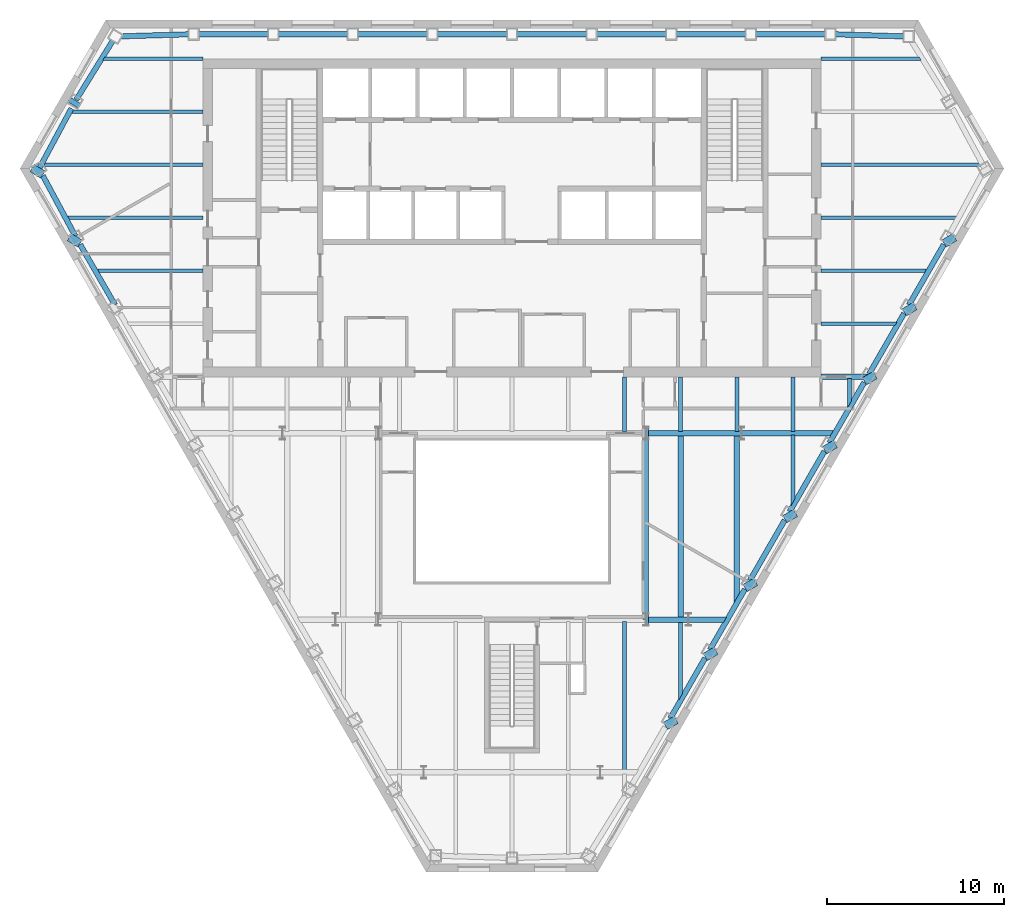
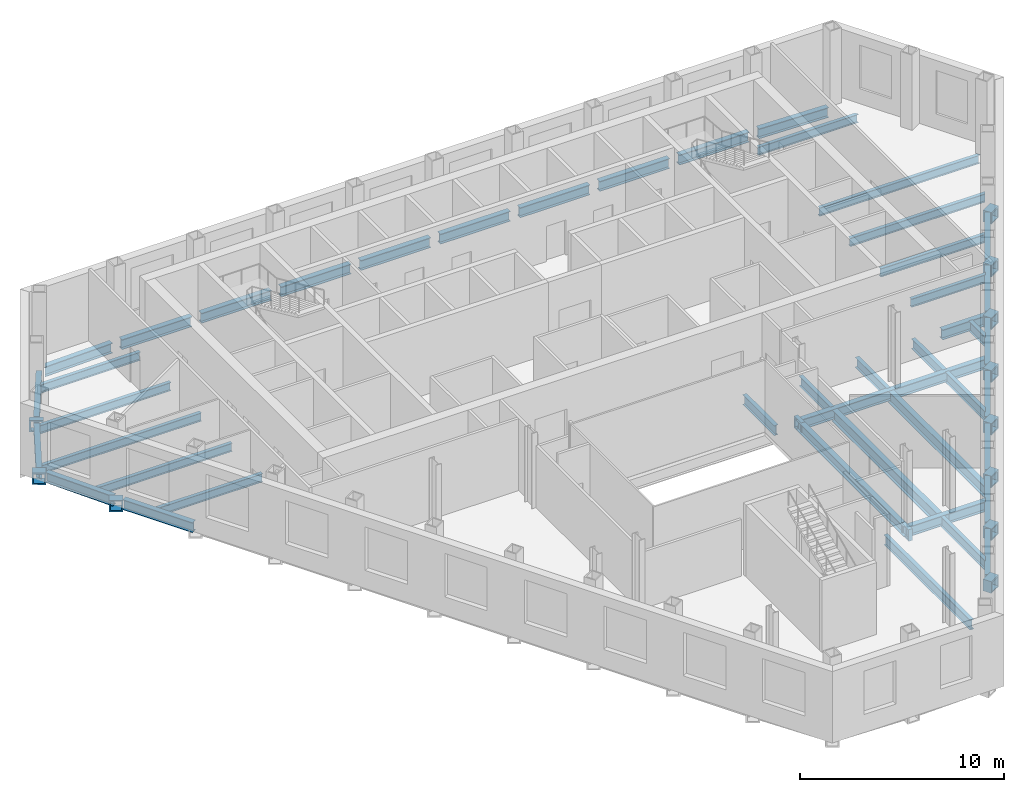
# One storey, part 3 of 12: 60 beams.
"""IFC4 building model written with IfcOpenShell, lengths in metres."""

from ifc_helpers import new_model, si_unit, direction, frame, origin, origin_2d, place, context, subcontext, project, spatial, hollow_rectangle, i_section, extrude, clip, halfspace, material, material_profile, profile_set, type_object, element, save


model = new_model("IFC4")

# Units and contexts
model_context = context("Model", 3, precision=1e-05, world=origin(), true_north=direction((0.0, 1.0)))
body_context = subcontext(model_context, "Body", "Model", "MODEL_VIEW")
ifc_project = project(units=[si_unit("LENGTHUNIT", "METRE"), si_unit("AREAUNIT", "SQUARE_METRE"), si_unit("VOLUMEUNIT", "CUBIC_METRE"), si_unit("PLANEANGLEUNIT", "RADIAN"), si_unit("MASSUNIT", "GRAM", prefix="KILO")], contexts=[model_context])

# Site, building, storey
site_placement = place(None, origin())
site = spatial("IfcSite", under=ifc_project, at=site_placement, CompositionType="ELEMENT")
building_placement = place(site_placement, origin())
building = spatial("IfcBuilding", under=site, at=building_placement, Name="Njiva Tower", CompositionType="ELEMENT")
storey_placement = place(building_placement, frame((0.0, 0.0, 111.3)))
storey = spatial("IfcBuildingStorey", under=building, at=storey_placement, Name="L23", CompositionType="ELEMENT", Elevation=111.3)

# Beams
ifc_material = material(Name="Steel S355 J2", Category="steel")
ifc_material_profile_1 = material_profile(ifc_material, i_section(OverallWidth=0.3, OverallDepth=0.69, WebThickness=0.0145, FlangeThickness=0.027, at=origin_2d()), Name="HEA 700")
ifc_profile_set_1 = profile_set([ifc_material_profile_1], Name="Steel S355 J2")
beam_type_1 = type_object("IfcBeamType", Name="B12 Long-span floor joist HEA 700", PredefinedType="JOIST", material=ifc_profile_set_1)
beam_1_placement = place(storey_placement, frame((9.55, -3.3, -0.545), z_axis=(0.0, -1.0, 0.0), x_axis=(1.0, 0.0, 0.0)))
element("IfcBeam", 1, at=beam_1_placement, inside=storey, type_object=beam_type_1, Name="Long-span floor joist S08-B084", PredefinedType="JOIST", context=body_context, shape_type="SweptSolid", body=[
    extrude(i_section(OverallWidth=0.3, OverallDepth=0.69, WebThickness=0.0145, FlangeThickness=0.027, at=origin_2d()), origin(), (0.0, 0.0, 1.0), 10.35),
])
ifc_material_profile_2 = material_profile(ifc_material, i_section(OverallWidth=0.22, OverallDepth=0.6, WebThickness=0.012, FlangeThickness=0.019, at=origin_2d()), Name="IPE 600")
ifc_profile_set_2 = profile_set([ifc_material_profile_2], Name="Steel S355 J2")
beam_type_2 = type_object("IfcBeamType", Name="B13 Floor joist IPE 600", PredefinedType="JOIST", material=ifc_profile_set_2)
beam_2_placement = place(storey_placement, frame((6.367, -13.851, -0.5), z_axis=(0.0, -1.0, 0.0), x_axis=(1.0, 0.0, 0.0)))
element("IfcBeam", 2, at=beam_2_placement, inside=storey, type_object=beam_type_2, Name="Floor joist S08-B081", PredefinedType="JOIST", context=body_context, shape_type="SweptSolid", body=[
    extrude(i_section(OverallWidth=0.22, OverallDepth=0.6, WebThickness=0.012, FlangeThickness=0.019, at=origin_2d()), origin(), (0.0, 0.0, 1.0), 8.449),
])
ifc_material_profile_3 = material_profile(ifc_material, i_section(OverallWidth=0.22, OverallDepth=0.6, WebThickness=0.012, FlangeThickness=0.019, at=origin_2d()), Name="IPE 600")
ifc_profile_set_3 = profile_set([ifc_material_profile_3], Name="Steel S355 J2")
beam_type_3 = type_object("IfcBeamType", Name="B14 Short-span floor joist IPE 600", PredefinedType="JOIST", material=ifc_profile_set_3)
beam_3_placement = place(storey_placement, frame((6.367, -0.005, -0.5), z_axis=(0.0, -1.0, 0.0), x_axis=(1.0, 0.0, 0.0)))
element("IfcBeam", 3, at=beam_3_placement, inside=storey, type_object=beam_type_3, Name="Short-span floor joist S08-B082", PredefinedType="JOIST", context=body_context, shape_type="SweptSolid", body=[
    extrude(i_section(OverallWidth=0.22, OverallDepth=0.6, WebThickness=0.012, FlangeThickness=0.019, at=origin_2d()), origin(), (0.0, 0.0, 1.0), 3.094),
])
beam_4_placement = place(storey_placement, frame((9.55, -0.005, -0.5), z_axis=(0.0, -1.0, 0.0), x_axis=(1.0, 0.0, 0.0)))
element("IfcBeam", 4, at=beam_4_placement, inside=storey, type_object=beam_type_3, Name="Short-span floor joist S08-B085", PredefinedType="JOIST", context=body_context, shape_type="SweptSolid", body=[
    extrude(i_section(OverallWidth=0.22, OverallDepth=0.6, WebThickness=0.012, FlangeThickness=0.019, at=origin_2d()), origin(), (0.0, 0.0, 1.0), 3.095),
])
beam_5_placement = place(storey_placement, frame((9.55, -13.85, -0.5), z_axis=(0.0, -1.0, 0.0), x_axis=(1.0, 0.0, 0.0)))
element("IfcBeam", 5, at=beam_5_placement, inside=storey, type_object=beam_type_3, Name="Short-span floor joist S08-B083", PredefinedType="JOIST", context=body_context, shape_type="Clipping", body=[
    clip(extrude(i_section(OverallWidth=0.22, OverallDepth=0.6, WebThickness=0.012, FlangeThickness=0.019, at=origin_2d()), origin(), (0.0, 0.0, 1.0), 4.484), halfspace(frame((0.0433, 0.0, 4.198), z_axis=(0.866026552831, 0.0, 0.499998009787), x_axis=(0.0, 1.0, 0.0)), False)),
])
for number, where, z_axis, x_axis, name in (
    (6, (12.733, -0.005, -0.5), (0.0, -1.0, 0.0), (1.0, 0.0, 0.0), "Short-span floor joist S08-B087"),
    (7, (15.917, -0.005, -0.5), (0.0, -1.0, 0.0), (1.0, 0.0, 0.0), "Short-span floor joist S08-B089"),
):
    element("IfcBeam", number, at=place(storey_placement, frame(where, z_axis=z_axis, x_axis=x_axis)), inside=storey, type_object=beam_type_3, Name=name, PredefinedType="JOIST", context=body_context, shape_type="SweptSolid", body=[
        extrude(i_section(OverallWidth=0.22, OverallDepth=0.6, WebThickness=0.012, FlangeThickness=0.019, at=origin_2d()), origin(), (0.0, 0.0, 1.0), 3.095),
    ])
beam_6_placement = place(storey_placement, frame((15.917, -3.3, -0.5), z_axis=(0.0, -1.0, 0.0), x_axis=(1.0, 0.0, 0.0)))
element("IfcBeam", 8, at=beam_6_placement, inside=storey, type_object=beam_type_3, Name="Short-span floor joist S08-B088", PredefinedType="JOIST", context=body_context, shape_type="Clipping", body=[
    clip(extrude(i_section(OverallWidth=0.22, OverallDepth=0.6, WebThickness=0.012, FlangeThickness=0.019, at=origin_2d()), origin(), (0.0, 0.0, 1.0), 4.007), halfspace(frame((0.043, 0.0, 3.7206), z_axis=(0.866026552831, 0.0, 0.499998009787), x_axis=(0.0, 1.0, 0.0)), False)),
])
beam_7_placement = place(storey_placement, frame((19.1, -0.1, -0.5), z_axis=(0.0, -1.0, 0.0), x_axis=(1.0, 0.0, 0.0)))
element("IfcBeam", 9, at=beam_7_placement, inside=storey, type_object=beam_type_3, Name="Short-span floor joist S08-B090", PredefinedType="JOIST", context=body_context, shape_type="Clipping", body=[
    clip(extrude(i_section(OverallWidth=0.22, OverallDepth=0.6, WebThickness=0.012, FlangeThickness=0.019, at=origin_2d()), origin(), (0.0, 0.0, 1.0), 1.693), halfspace(frame((0.0433, 0.0, 1.4069), z_axis=(0.866026552831, 0.0, 0.499998009787), x_axis=(0.0, 1.0, 0.0)), False)),
])
ifc_material_profile_4 = material_profile(ifc_material, hollow_rectangle(XDim=0.7, YDim=0.7, WallThickness=0.08, at=origin_2d()), Name="BOX 700x700x80")
ifc_profile_set_4 = profile_set([ifc_material_profile_4], Name="Steel S355 J2")
beam_type_4 = type_object("IfcBeamType", Name="B19 Column jog beam BOX 700x700x80", PredefinedType="BEAM", material=ifc_profile_set_4)
beam_8_placement = place(storey_placement, frame((-24.856, 15.389, -0.55), z_axis=(0.522403984203, 0.852698116152, 0.0), x_axis=(-0.852698116152, 0.522403984203, 0.0)))
element("IfcBeam", 10, at=beam_8_placement, inside=storey, type_object=beam_type_4, Name="Column jog beam S08-B032", PredefinedType="BEAM", context=body_context, shape_type="SweptSolid", body=[
    extrude(hollow_rectangle(XDim=0.7, YDim=0.7, WallThickness=0.08, at=origin_2d()), origin(), (0.0, 0.0, 1.0), 0.2967),
])
beam_9_placement = place(storey_placement, frame((-26.989, 11.427, -0.55), z_axis=(0.511075392877, 0.859535888021, 0.0), x_axis=(-0.859535888021, 0.511075392877, 0.0)))
element("IfcBeam", 11, at=beam_9_placement, inside=storey, type_object=beam_type_4, Name="Column jog beam S08-B030", PredefinedType="BEAM", context=body_context, shape_type="SweptSolid", body=[
    extrude(hollow_rectangle(XDim=0.7, YDim=0.7, WallThickness=0.08, at=origin_2d()), origin(), (0.0, 0.0, 1.0), 0.4735),
])
beam_10_placement = place(storey_placement, frame((-24.887, 7.523, -0.55), z_axis=(0.505448100698, 0.862857008722, 0.0), x_axis=(-0.862857008722, 0.505448100698, 0.0)))
element("IfcBeam", 12, at=beam_10_placement, inside=storey, type_object=beam_type_4, Name="Column jog beam S08-B031", PredefinedType="BEAM", context=body_context, shape_type="SweptSolid", body=[
    extrude(hollow_rectangle(XDim=0.7, YDim=0.7, WallThickness=0.08, at=origin_2d()), origin(), (0.0, 0.0, 1.0), 0.4728),
])
beam_11_placement = place(storey_placement, frame((9.111, -19.803, -0.55), z_axis=(-0.495234720822, 0.868759213645, 0.0), x_axis=(-0.868759213645, -0.495234720822, 0.0)))
element("IfcBeam", 13, at=beam_11_placement, inside=storey, type_object=beam_type_4, Name="Column jog beam S08-B049", PredefinedType="BEAM", context=body_context, shape_type="SweptSolid", body=[
    extrude(hollow_rectangle(XDim=0.7, YDim=0.7, WallThickness=0.08, at=origin_2d()), origin(), (0.0, 0.0, 1.0), 0.4765),
])
beam_12_placement = place(storey_placement, frame((11.365, -15.899, -0.55), z_axis=(-0.497721258129, 0.867337044756, 0.0), x_axis=(-0.867337044756, -0.497721258129, 0.0)))
element("IfcBeam", 14, at=beam_12_placement, inside=storey, type_object=beam_type_4, Name="Column jog beam S08-B050", PredefinedType="BEAM", context=body_context, shape_type="SweptSolid", body=[
    extrude(hollow_rectangle(XDim=0.7, YDim=0.7, WallThickness=0.08, at=origin_2d()), origin(), (0.0, 0.0, 1.0), 0.4762),
])
beam_13_placement = place(storey_placement, frame((13.618, -11.995, -0.55), z_axis=(-0.498629231199, 0.86681537238, 0.0), x_axis=(-0.86681537238, -0.498629231199, 0.0)))
element("IfcBeam", 15, at=beam_13_placement, inside=storey, type_object=beam_type_4, Name="Column jog beam S08-B051", PredefinedType="BEAM", context=body_context, shape_type="SweptSolid", body=[
    extrude(hollow_rectangle(XDim=0.7, YDim=0.7, WallThickness=0.08, at=origin_2d()), origin(), (0.0, 0.0, 1.0), 0.4753),
])
beam_14_placement = place(storey_placement, frame((15.872, -8.091, -0.55), z_axis=(-0.499539972301, 0.866290838041, 0.0), x_axis=(-0.866290838041, -0.499539972301, 0.0)))
element("IfcBeam", 16, at=beam_14_placement, inside=storey, type_object=beam_type_4, Name="Column jog beam S08-B052", PredefinedType="BEAM", context=body_context, shape_type="SweptSolid", body=[
    extrude(hollow_rectangle(XDim=0.7, YDim=0.7, WallThickness=0.08, at=origin_2d()), origin(), (0.0, 0.0, 1.0), 0.4744),
])
beam_15_placement = place(storey_placement, frame((18.126, -4.188, -0.55), z_axis=(-0.501119266826, 0.865378229687, 0.0), x_axis=(-0.865378229687, -0.501119266826, 0.0)))
element("IfcBeam", 17, at=beam_15_placement, inside=storey, type_object=beam_type_4, Name="Column jog beam S08-B053", PredefinedType="BEAM", context=body_context, shape_type="SweptSolid", body=[
    extrude(hollow_rectangle(XDim=0.7, YDim=0.7, WallThickness=0.08, at=origin_2d()), origin(), (0.0, 0.0, 1.0), 0.4749),
])
beam_16_placement = place(storey_placement, frame((20.38, -0.284, -0.55), z_axis=(-0.503608973261, 0.863931711451, 0.0), x_axis=(-0.863931711451, -0.503608973261, 0.0)))
element("IfcBeam", 18, at=beam_16_placement, inside=storey, type_object=beam_type_4, Name="Column jog beam S08-B054", PredefinedType="BEAM", context=body_context, shape_type="SweptSolid", body=[
    extrude(hollow_rectangle(XDim=0.7, YDim=0.7, WallThickness=0.08, at=origin_2d()), origin(), (0.0, 0.0, 1.0), 0.4746),
])
beam_17_placement = place(storey_placement, frame((22.634, 3.62, -0.55), z_axis=(-0.504527147117, 0.863395829167, 0.0), x_axis=(-0.863395829167, -0.504527147117, 0.0)))
element("IfcBeam", 19, at=beam_17_placement, inside=storey, type_object=beam_type_4, Name="Column jog beam S08-B055", PredefinedType="BEAM", context=body_context, shape_type="SweptSolid", body=[
    extrude(hollow_rectangle(XDim=0.7, YDim=0.7, WallThickness=0.08, at=origin_2d()), origin(), (0.0, 0.0, 1.0), 0.4737),
])
beam_18_placement = place(storey_placement, frame((24.887, 7.523, -0.55), z_axis=(-0.505448100698, 0.862857008722, 0.0), x_axis=(-0.862857008722, -0.505448100698, 0.0)))
element("IfcBeam", 20, at=beam_18_placement, inside=storey, type_object=beam_type_4, Name="Column jog beam S08-B056", PredefinedType="BEAM", context=body_context, shape_type="SweptSolid", body=[
    extrude(hollow_rectangle(XDim=0.7, YDim=0.7, WallThickness=0.08, at=origin_2d()), origin(), (0.0, 0.0, 1.0), 0.4728),
])
for number, where, z_axis, x_axis, name in (
    (21, (7.73, -3.2, -0.55), (-1.0, 0.0, 0.0), (0.0, -1.0, 0.0), "Column jog beam S08-B048"),
    (22, (7.73, -13.75, -0.55), (-1.0, 0.0, 0.0), (0.0, -1.0, 0.0), "Column jog beam S08-B047"),
):
    element("IfcBeam", number, at=place(storey_placement, frame(where, z_axis=z_axis, x_axis=x_axis)), inside=storey, type_object=beam_type_4, Name=name, PredefinedType="BEAM", context=body_context, shape_type="SweptSolid", body=[
        extrude(hollow_rectangle(XDim=0.7, YDim=0.7, WallThickness=0.08, at=origin_2d()), origin(), (0.0, 0.0, 1.0), 0.21),
    ])
ifc_material_profile_5 = material_profile(ifc_material, i_section(OverallWidth=0.3, OverallDepth=0.6, WebThickness=0.0155, FlangeThickness=0.03, at=origin_2d()), Name="HEB 600")
ifc_profile_set_5 = profile_set([ifc_material_profile_5], Name="Steel S355 J2")
beam_type_5 = type_object("IfcBeamType", Name="B20 Floor girder HEB 600", PredefinedType="BEAM", material=ifc_profile_set_5)
beam_19_placement = place(storey_placement, frame((7.58, -3.2, -0.5), z_axis=(1.0, 0.0, 0.0), x_axis=(0.0, 1.0, 0.0)))
element("IfcBeam", 23, at=beam_19_placement, inside=storey, type_object=beam_type_5, Name="Floor girder S08-B025", PredefinedType="BEAM", context=body_context, shape_type="SweptSolid", body=[
    extrude(i_section(OverallWidth=0.3, OverallDepth=0.6, WebThickness=0.0155, FlangeThickness=0.03, at=origin_2d()), origin(), (0.0, 0.0, 1.0), 5.42),
])
beam_20_placement = place(storey_placement, frame((13.0, -3.2, -0.5), z_axis=(1.0, 0.0, 0.0), x_axis=(0.0, 1.0, 0.0)))
element("IfcBeam", 24, at=beam_20_placement, inside=storey, type_object=beam_type_5, Name="Floor girder S08-B027", PredefinedType="BEAM", context=body_context, shape_type="Clipping", body=[
    clip(extrude(i_section(OverallWidth=0.3, OverallDepth=0.6, WebThickness=0.0155, FlangeThickness=0.03, at=origin_2d()), origin(), (0.0, 0.0, 1.0), 5.273), halfspace(frame((-0.025, 0.0, 5.1513), z_axis=(-0.499998009787, 0.0, 0.866026552831), x_axis=(0.0, 1.0, 0.0)), False)),
])
ifc_material_profile_6 = material_profile(ifc_material, i_section(OverallWidth=0.3, OverallDepth=0.6, WebThickness=0.0155, FlangeThickness=0.03, at=origin_2d()), Name="HEB 600")
ifc_profile_set_6 = profile_set([ifc_material_profile_6], Name="Steel S355 J2")
beam_type_6 = type_object("IfcBeamType", Name="B21 Short-span floor girder HEB 600", PredefinedType="BEAM", material=ifc_profile_set_6)
beam_21_placement = place(storey_placement, frame((7.58, -13.75, -0.5), z_axis=(1.0, 0.0, 0.0), x_axis=(0.0, 1.0, 0.0)))
element("IfcBeam", 25, at=beam_21_placement, inside=storey, type_object=beam_type_6, Name="Short-span floor girder S08-B024", PredefinedType="BEAM", context=body_context, shape_type="SweptSolid", body=[
    extrude(i_section(OverallWidth=0.3, OverallDepth=0.6, WebThickness=0.0155, FlangeThickness=0.03, at=origin_2d()), origin(), (0.0, 0.0, 1.0), 2.42),
])
beam_22_placement = place(storey_placement, frame((10.0, -13.75, -0.5), z_axis=(1.0, 0.0, 0.0), x_axis=(0.0, 1.0, 0.0)))
element("IfcBeam", 26, at=beam_22_placement, inside=storey, type_object=beam_type_6, Name="Short-span floor girder S08-B026", PredefinedType="BEAM", context=body_context, shape_type="Clipping", body=[
    clip(extrude(i_section(OverallWidth=0.3, OverallDepth=0.6, WebThickness=0.0155, FlangeThickness=0.03, at=origin_2d()), origin(), (0.0, 0.0, 1.0), 2.182), halfspace(frame((-0.025, 0.0, 2.0603), z_axis=(-0.499998009787, 0.0, 0.866026552831), x_axis=(0.0, 1.0, 0.0)), False)),
])
beam_23_placement = place(storey_placement, frame((17.5, 0.0, -0.5), z_axis=(1.0, 0.0, 0.0), x_axis=(0.0, 1.0, 0.0)))
element("IfcBeam", 27, at=beam_23_placement, inside=storey, type_object=beam_type_6, Name="Short-span floor girder S08-B029", PredefinedType="BEAM", context=body_context, shape_type="Clipping", body=[
    clip(extrude(i_section(OverallWidth=0.3, OverallDepth=0.6, WebThickness=0.0155, FlangeThickness=0.03, at=origin_2d()), origin(), (0.0, 0.0, 1.0), 2.745), halfspace(frame((-0.025, 0.0, 2.6231), z_axis=(-0.499998009787, 0.0, 0.866026552831), x_axis=(0.0, 1.0, 0.0)), False)),
])
ifc_material_profile_7 = material_profile(ifc_material, i_section(OverallWidth=0.3, OverallDepth=0.6, WebThickness=0.0155, FlangeThickness=0.03, at=origin_2d()), Name="HEB 600")
ifc_profile_set_7 = profile_set([ifc_material_profile_7], Name="Steel S355 J2")
beam_type_7 = type_object("IfcBeamType", Name="B23 Long-span atrium trimmer beam HEB 600", PredefinedType="BEAM", material=ifc_profile_set_7)
beam_24_placement = place(storey_placement, frame((7.58, -13.75, -0.5), z_axis=(0.0, 1.0, 0.0), x_axis=(-1.0, 0.0, 0.0)))
element("IfcBeam", 28, at=beam_24_placement, inside=storey, type_object=beam_type_7, Name="Long-span atrium trimmer beam S08-B095", PredefinedType="BEAM", context=body_context, shape_type="SweptSolid", body=[
    extrude(i_section(OverallWidth=0.3, OverallDepth=0.6, WebThickness=0.0155, FlangeThickness=0.03, at=origin_2d()), origin(), (0.0, 0.0, 1.0), 10.55),
])
ifc_material_profile_8 = material_profile(ifc_material, i_section(OverallWidth=0.2, OverallDepth=0.5, WebThickness=0.0102, FlangeThickness=0.016, at=origin_2d()), Name="IPE 500")
ifc_profile_set_8 = profile_set([ifc_material_profile_8], Name="Steel S355 J2")
beam_type_8 = type_object("IfcBeamType", Name="B24 Floor beam to the core IPE 500", PredefinedType="BEAM", material=ifc_profile_set_8)
beam_25_placement = place(storey_placement, frame((-23.555, 6.0, -0.45), z_axis=(1.0, 0.0, 0.0), x_axis=(0.0, 1.0, 0.0)))
element("IfcBeam", 29, at=beam_25_placement, inside=storey, type_object=beam_type_8, Name="Floor beam to the core S08-B005", PredefinedType="BEAM", context=body_context, shape_type="Clipping", body=[
    clip(extrude(i_section(OverallWidth=0.2, OverallDepth=0.5, WebThickness=0.0102, FlangeThickness=0.016, at=origin_2d()), origin(), (0.0, 0.0, 1.0), 6.055), halfspace(frame((-0.025, 0.0, 0.092), z_axis=(-0.499998009787, 0.0, -0.866026552831), x_axis=(0.0, -1.0, 0.0)), False)),
])
beam_26_placement = place(storey_placement, frame((17.5, 6.0, -0.45), z_axis=(1.0, 0.0, 0.0), x_axis=(0.0, 1.0, 0.0)))
element("IfcBeam", 30, at=beam_26_placement, inside=storey, type_object=beam_type_8, Name="Floor beam to the core S08-B009", PredefinedType="BEAM", context=body_context, shape_type="Clipping", body=[
    clip(extrude(i_section(OverallWidth=0.2, OverallDepth=0.5, WebThickness=0.0102, FlangeThickness=0.016, at=origin_2d()), origin(), (0.0, 0.0, 1.0), 6.055), halfspace(frame((-0.025, 0.0, 5.963), z_axis=(-0.499998009787, 0.0, 0.866026552831), x_axis=(0.0, 1.0, 0.0)), False)),
])
beam_27_placement = place(storey_placement, frame((-25.241, 9.0, -0.45), z_axis=(1.0, 0.0, 0.0), x_axis=(0.0, 1.0, 0.0)))
element("IfcBeam", 31, at=beam_27_placement, inside=storey, type_object=beam_type_8, Name="Floor beam to the core S08-B003", PredefinedType="BEAM", context=body_context, shape_type="Clipping", body=[
    clip(extrude(i_section(OverallWidth=0.2, OverallDepth=0.5, WebThickness=0.0102, FlangeThickness=0.016, at=origin_2d()), origin(), (0.0, 0.0, 1.0), 7.741), halfspace(frame((-0.0237, 0.0, 0.0865), z_axis=(-0.47376166762, 0.0, -0.88065309986), x_axis=(0.0, -1.0, 0.0)), False)),
])
beam_28_placement = place(storey_placement, frame((17.5, 9.0, -0.45), z_axis=(1.0, 0.0, 0.0), x_axis=(0.0, 1.0, 0.0)))
element("IfcBeam", 32, at=beam_28_placement, inside=storey, type_object=beam_type_8, Name="Floor beam to the core S08-B010", PredefinedType="BEAM", context=body_context, shape_type="Clipping", body=[
    clip(extrude(i_section(OverallWidth=0.2, OverallDepth=0.5, WebThickness=0.0102, FlangeThickness=0.016, at=origin_2d()), origin(), (0.0, 0.0, 1.0), 7.741), halfspace(frame((-0.0237, 0.0, 7.6545), z_axis=(-0.47376166762, 0.0, 0.88065309986), x_axis=(0.0, 1.0, 0.0)), False)),
])
beam_29_placement = place(storey_placement, frame((-26.621, 12.0, -0.45), z_axis=(1.0, 0.0, 0.0), x_axis=(0.0, 1.0, 0.0)))
element("IfcBeam", 33, at=beam_29_placement, inside=storey, type_object=beam_type_8, Name="Floor beam to the core S08-B002", PredefinedType="BEAM", context=body_context, shape_type="Clipping", body=[
    clip(extrude(i_section(OverallWidth=0.2, OverallDepth=0.5, WebThickness=0.0102, FlangeThickness=0.016, at=origin_2d()), origin(), (0.0, 0.0, 1.0), 9.121), halfspace(frame((0.0237, 0.0, 0.0866), z_axis=(0.473099472471, 0.0, -0.881009017631), x_axis=(0.0, -1.0, 0.0)), False)),
])
beam_30_placement = place(storey_placement, frame((17.5, 12.0, -0.45), z_axis=(1.0, 0.0, 0.0), x_axis=(0.0, 1.0, 0.0)))
element("IfcBeam", 34, at=beam_30_placement, inside=storey, type_object=beam_type_8, Name="Floor beam to the core S08-B011", PredefinedType="BEAM", context=body_context, shape_type="Clipping", body=[
    clip(extrude(i_section(OverallWidth=0.2, OverallDepth=0.5, WebThickness=0.0102, FlangeThickness=0.016, at=origin_2d()), origin(), (0.0, 0.0, 1.0), 9.121), halfspace(frame((0.0237, 0.0, 9.0344), z_axis=(0.473099472471, 0.0, 0.881009017631), x_axis=(0.0, 1.0, 0.0)), False)),
])
beam_31_placement = place(storey_placement, frame((-25.01, 15.0, -0.45), z_axis=(1.0, 0.0, 0.0), x_axis=(0.0, 1.0, 0.0)))
element("IfcBeam", 35, at=beam_31_placement, inside=storey, type_object=beam_type_8, Name="Floor beam to the core S08-B004", PredefinedType="BEAM", context=body_context, shape_type="Clipping", body=[
    clip(extrude(i_section(OverallWidth=0.2, OverallDepth=0.5, WebThickness=0.0102, FlangeThickness=0.016, at=origin_2d()), origin(), (0.0, 0.0, 1.0), 7.51), halfspace(frame((0.0237, 0.0, 0.0866), z_axis=(0.473099472471, 0.0, -0.881009017631), x_axis=(0.0, -1.0, 0.0)), False)),
])
beam_32_placement = place(storey_placement, frame((-23.205, 18.0, -0.45), z_axis=(1.0, 0.0, 0.0), x_axis=(0.0, 1.0, 0.0)))
element("IfcBeam", 36, at=beam_32_placement, inside=storey, type_object=beam_type_8, Name="Floor beam to the core S08-B006", PredefinedType="BEAM", context=body_context, shape_type="Clipping", body=[
    clip(extrude(i_section(OverallWidth=0.2, OverallDepth=0.5, WebThickness=0.0102, FlangeThickness=0.016, at=origin_2d()), origin(), (0.0, 0.0, 1.0), 5.705), halfspace(frame((0.0263, 0.0, 0.0982), z_axis=(0.526429317406, 0.0, -0.850218897564), x_axis=(0.0, -1.0, 0.0)), False)),
])
beam_33_placement = place(storey_placement, frame((17.5, 18.0, -0.45), z_axis=(1.0, 0.0, 0.0), x_axis=(0.0, 1.0, 0.0)))
element("IfcBeam", 37, at=beam_33_placement, inside=storey, type_object=beam_type_8, Name="Floor beam to the core S08-B014", PredefinedType="BEAM", context=body_context, shape_type="Clipping", body=[
    clip(extrude(i_section(OverallWidth=0.2, OverallDepth=0.5, WebThickness=0.0102, FlangeThickness=0.016, at=origin_2d()), origin(), (0.0, 0.0, 1.0), 5.705), halfspace(frame((0.0263, 0.0, 5.6068), z_axis=(0.526429317406, 0.0, 0.850218897564), x_axis=(0.0, 1.0, 0.0)), False)),
])
ifc_material_profile_9 = material_profile(ifc_material, i_section(OverallWidth=0.2, OverallDepth=0.5, WebThickness=0.0102, FlangeThickness=0.016, at=origin_2d()), Name="IPE 500")
ifc_profile_set_9 = profile_set([ifc_material_profile_9], Name="Steel S355 J2")
beam_type_9 = type_object("IfcBeamType", Name="B25 Short-span floor beam to the core IPE 500", PredefinedType="BEAM", material=ifc_profile_set_9)
beam_34_placement = place(storey_placement, frame((17.5, 3.0, -0.45), z_axis=(1.0, 0.0, 0.0), x_axis=(0.0, 1.0, 0.0)))
element("IfcBeam", 38, at=beam_34_placement, inside=storey, type_object=beam_type_9, Name="Short-span floor beam to the core S08-B008", PredefinedType="BEAM", context=body_context, shape_type="Clipping", body=[
    clip(extrude(i_section(OverallWidth=0.2, OverallDepth=0.5, WebThickness=0.0102, FlangeThickness=0.016, at=origin_2d()), origin(), (0.0, 0.0, 1.0), 4.323), halfspace(frame((-0.025, 0.0, 4.2309), z_axis=(-0.499998009787, 0.0, 0.866026552831), x_axis=(0.0, 1.0, 0.0)), False)),
])
ifc_material_profile_10 = material_profile(ifc_material, i_section(OverallWidth=0.3, OverallDepth=0.69, WebThickness=0.0145, FlangeThickness=0.027, at=origin_2d()), Name="HEA 700")
ifc_profile_set_10 = profile_set([ifc_material_profile_10], Name="Steel S355 J2")
beam_type_10 = type_object("IfcBeamType", Name="B26 Floor joist HEA 700", PredefinedType="JOIST", material=ifc_profile_set_10)
beam_35_placement = place(storey_placement, frame((12.733, -3.3, -0.545), z_axis=(0.0, -1.0, 0.0), x_axis=(1.0, 0.0, 0.0)))
element("IfcBeam", 39, at=beam_35_placement, inside=storey, type_object=beam_type_10, Name="Floor joist S08-B086", PredefinedType="JOIST", context=body_context, shape_type="Clipping", body=[
    clip(extrude(i_section(OverallWidth=0.3, OverallDepth=0.69, WebThickness=0.0145, FlangeThickness=0.027, at=origin_2d()), origin(), (0.0, 0.0, 1.0), 9.52), halfspace(frame((0.0436, 0.0, 9.2343), z_axis=(0.866026552831, 0.0, 0.499998009787), x_axis=(0.0, 1.0, 0.0)), False)),
])
ifc_material_profile_11 = material_profile(ifc_material, i_section(OverallWidth=0.3, OverallDepth=0.6, WebThickness=0.0155, FlangeThickness=0.03, at=origin_2d()), Name="HEB 600")
ifc_profile_set_11 = profile_set([ifc_material_profile_11], Name="Steel S355 J2")
beam_type_11 = type_object("IfcBeamType", Name="B3 Short-span spandrel beam HEB 600", PredefinedType="SPANDREL", material=ifc_profile_set_11)
beam_36_placement = place(storey_placement, frame((22.182, 19.275, -0.5), z_axis=(-0.999544015996, 0.030195365317, 0.0), x_axis=(-0.030195365317, -0.999544015996, 0.0)))
element("IfcBeam", 40, at=beam_36_placement, inside=storey, type_object=beam_type_11, Name="Short-span spandrel beam S08-B152", PredefinedType="SPANDREL", context=body_context, shape_type="SweptSolid", body=[
    extrude(i_section(OverallWidth=0.3, OverallDepth=0.6, WebThickness=0.0155, FlangeThickness=0.03, at=origin_2d()), origin(), (0.0, 0.0, 1.0), 3.8748),
])
beam_37_placement = place(storey_placement, frame((17.755, 19.4, -0.5), z_axis=(-1.0, 0.0, 0.0), x_axis=(0.0, -1.0, 0.0)))
element("IfcBeam", 41, at=beam_37_placement, inside=storey, type_object=beam_type_11, Name="Short-span spandrel beam S08-B146", PredefinedType="SPANDREL", context=body_context, shape_type="SweptSolid", body=[
    extrude(i_section(OverallWidth=0.3, OverallDepth=0.6, WebThickness=0.0155, FlangeThickness=0.03, at=origin_2d()), origin(), (0.0, 0.0, 1.0), 3.957),
])
beam_38_placement = place(storey_placement, frame((13.248, 19.4, -0.5), z_axis=(-1.0, 0.0, 0.0), x_axis=(0.0, -1.0, 0.0)))
element("IfcBeam", 42, at=beam_38_placement, inside=storey, type_object=beam_type_11, Name="Short-span spandrel beam S08-B140", PredefinedType="SPANDREL", context=body_context, shape_type="SweptSolid", body=[
    extrude(i_section(OverallWidth=0.3, OverallDepth=0.6, WebThickness=0.0155, FlangeThickness=0.03, at=origin_2d()), origin(), (0.0, 0.0, 1.0), 3.958),
])
beam_39_placement = place(storey_placement, frame((8.74, 19.4, -0.5), z_axis=(-1.0, 0.0, 0.0), x_axis=(0.0, -1.0, 0.0)))
element("IfcBeam", 43, at=beam_39_placement, inside=storey, type_object=beam_type_11, Name="Short-span spandrel beam S08-B135", PredefinedType="SPANDREL", context=body_context, shape_type="SweptSolid", body=[
    extrude(i_section(OverallWidth=0.3, OverallDepth=0.6, WebThickness=0.0155, FlangeThickness=0.03, at=origin_2d()), origin(), (0.0, 0.0, 1.0), 3.957),
])
for number, where, z_axis, x_axis, name in (
    (44, (4.233, 19.4, -0.5), (-1.0, 0.0, 0.0), (0.0, -1.0, 0.0), "Short-span spandrel beam S08-B130"),
    (45, (-0.275, 19.4, -0.5), (-1.0, 0.0, 0.0), (0.0, -1.0, 0.0), "Short-span spandrel beam S08-B127"),
):
    element("IfcBeam", number, at=place(storey_placement, frame(where, z_axis=z_axis, x_axis=x_axis)), inside=storey, type_object=beam_type_11, Name=name, PredefinedType="SPANDREL", context=body_context, shape_type="SweptSolid", body=[
        extrude(i_section(OverallWidth=0.3, OverallDepth=0.6, WebThickness=0.0155, FlangeThickness=0.03, at=origin_2d()), origin(), (0.0, 0.0, 1.0), 3.958),
    ])
beam_40_placement = place(storey_placement, frame((-4.783, 19.4, -0.5), z_axis=(-1.0, 0.0, 0.0), x_axis=(0.0, -1.0, 0.0)))
element("IfcBeam", 46, at=beam_40_placement, inside=storey, type_object=beam_type_11, Name="Short-span spandrel beam S08-B123", PredefinedType="SPANDREL", context=body_context, shape_type="SweptSolid", body=[
    extrude(i_section(OverallWidth=0.3, OverallDepth=0.6, WebThickness=0.0155, FlangeThickness=0.03, at=origin_2d()), origin(), (0.0, 0.0, 1.0), 3.957),
])
beam_41_placement = place(storey_placement, frame((-9.29, 19.4, -0.5), z_axis=(-1.0, 0.0, 0.0), x_axis=(0.0, -1.0, 0.0)))
element("IfcBeam", 47, at=beam_41_placement, inside=storey, type_object=beam_type_11, Name="Short-span spandrel beam S08-B118", PredefinedType="SPANDREL", context=body_context, shape_type="SweptSolid", body=[
    extrude(i_section(OverallWidth=0.3, OverallDepth=0.6, WebThickness=0.0155, FlangeThickness=0.03, at=origin_2d()), origin(), (0.0, 0.0, 1.0), 3.958),
])
beam_42_placement = place(storey_placement, frame((-13.798, 19.4, -0.5), z_axis=(-1.0, 0.0, 0.0), x_axis=(0.0, -1.0, 0.0)))
element("IfcBeam", 48, at=beam_42_placement, inside=storey, type_object=beam_type_11, Name="Short-span spandrel beam S08-B112", PredefinedType="SPANDREL", context=body_context, shape_type="SweptSolid", body=[
    extrude(i_section(OverallWidth=0.3, OverallDepth=0.6, WebThickness=0.0155, FlangeThickness=0.03, at=origin_2d()), origin(), (0.0, 0.0, 1.0), 3.957),
])
beam_43_placement = place(storey_placement, frame((-18.309, 19.392, -0.5), z_axis=(-0.999542384946, -0.030249309018, 0.0), x_axis=(0.030249309018, -0.999542384946, 0.0)))
element("IfcBeam", 49, at=beam_43_placement, inside=storey, type_object=beam_type_11, Name="Short-span spandrel beam S08-B107", PredefinedType="SPANDREL", context=body_context, shape_type="Clipping", body=[
    clip(extrude(i_section(OverallWidth=0.3, OverallDepth=0.6, WebThickness=0.0155, FlangeThickness=0.03, at=origin_2d()), origin(), (0.0, 0.0, 1.0), 3.9147), halfspace(frame((-0.0266, 0.0, 3.7851), z_axis=(-0.525965907985, 0.0, 0.850505651737), x_axis=(0.0, 1.0, 0.0)), False)),
])
beam_44_placement = place(storey_placement, frame((-22.604, 19.028, -0.5), z_axis=(-0.526573005964, -0.850129913243, 0.0), x_axis=(0.850129913243, -0.526573005964, 0.0)))
element("IfcBeam", 50, at=beam_44_placement, inside=storey, type_object=beam_type_11, Name="Short-span spandrel beam S08-B101", PredefinedType="SPANDREL", context=body_context, shape_type="SweptSolid", body=[
    extrude(i_section(OverallWidth=0.3, OverallDepth=0.6, WebThickness=0.0155, FlangeThickness=0.03, at=origin_2d()), origin(), (0.0, 0.0, 1.0), 3.9406),
])
beam_45_placement = place(storey_placement, frame((-24.948, 15.189, -0.5), z_axis=(-0.473130345904, -0.880992437984, 0.0), x_axis=(0.880992437984, -0.473130345904, 0.0)))
element("IfcBeam", 51, at=beam_45_placement, inside=storey, type_object=beam_type_11, Name="Short-span spandrel beam S08-B097", PredefinedType="SPANDREL", context=body_context, shape_type="Clipping", body=[
    clip(extrude(i_section(OverallWidth=0.3, OverallDepth=0.6, WebThickness=0.0155, FlangeThickness=0.03, at=origin_2d()), origin(), (0.0, 0.0, 1.0), 3.9893), halfspace(frame((-0.0263, 0.0, 3.8599), z_axis=(-0.526398612816, 0.0, 0.850237908132), x_axis=(0.0, 1.0, 0.0)), False)),
])
beam_46_placement = place(storey_placement, frame((-26.564, 11.385, -0.5), z_axis=(0.473823086296, -0.880620055923, 0.0), x_axis=(0.880620055923, 0.473823086296, 0.0)))
element("IfcBeam", 52, at=beam_46_placement, inside=storey, type_object=beam_type_11, Name="Short-span spandrel beam S08-B100", PredefinedType="SPANDREL", context=body_context, shape_type="SweptSolid", body=[
    extrude(i_section(OverallWidth=0.3, OverallDepth=0.6, WebThickness=0.0155, FlangeThickness=0.03, at=origin_2d()), origin(), (0.0, 0.0, 1.0), 3.8791),
])
beam_47_placement = place(storey_placement, frame((-24.453, 7.491, -0.5), z_axis=(0.499890179513, -0.866088799389, 0.0), x_axis=(0.866088799389, 0.499890179513, 0.0)))
element("IfcBeam", 53, at=beam_47_placement, inside=storey, type_object=beam_type_11, Name="Short-span spandrel beam S08-B104", PredefinedType="SPANDREL", context=body_context, shape_type="SweptSolid", body=[
    extrude(i_section(OverallWidth=0.3, OverallDepth=0.6, WebThickness=0.0155, FlangeThickness=0.03, at=origin_2d()), origin(), (0.0, 0.0, 1.0), 3.9569),
])
beam_48_placement = place(storey_placement, frame((8.952, -19.359, -0.5), z_axis=(0.499970304126, 0.866042548026, 0.0), x_axis=(-0.866042548026, 0.499970304126, 0.0)))
element("IfcBeam", 54, at=beam_48_placement, inside=storey, type_object=beam_type_11, Name="Short-span spandrel beam S08-B138", PredefinedType="SPANDREL", context=body_context, shape_type="SweptSolid", body=[
    extrude(i_section(OverallWidth=0.3, OverallDepth=0.6, WebThickness=0.0155, FlangeThickness=0.03, at=origin_2d()), origin(), (0.0, 0.0, 1.0), 3.9582),
])
for number, where, z_axis, x_axis, name in (
    (55, (11.206, -15.455, -0.5), (0.500079715141, 0.865979375335, 0.0), (-0.865979375335, 0.500079715141, 0.0), "Short-span spandrel beam S08-B141"),
    (56, (13.46, -11.551, -0.5), (0.500079715141, 0.865979375335, 0.0), (-0.865979375335, 0.500079715141, 0.0), "Short-span spandrel beam S08-B143"),
):
    element("IfcBeam", number, at=place(storey_placement, frame(where, z_axis=z_axis, x_axis=x_axis)), inside=storey, type_object=beam_type_11, Name=name, PredefinedType="SPANDREL", context=body_context, shape_type="SweptSolid", body=[
        extrude(i_section(OverallWidth=0.3, OverallDepth=0.6, WebThickness=0.0155, FlangeThickness=0.03, at=origin_2d()), origin(), (0.0, 0.0, 1.0), 3.9574),
    ])
beam_49_placement = place(storey_placement, frame((15.714, -7.647, -0.5), z_axis=(0.499890179513, 0.866088799389, 0.0), x_axis=(-0.866088799389, 0.499890179513, 0.0)))
element("IfcBeam", 57, at=beam_49_placement, inside=storey, type_object=beam_type_11, Name="Short-span spandrel beam S08-B147", PredefinedType="SPANDREL", context=body_context, shape_type="SweptSolid", body=[
    extrude(i_section(OverallWidth=0.3, OverallDepth=0.6, WebThickness=0.0155, FlangeThickness=0.03, at=origin_2d()), origin(), (0.0, 0.0, 1.0), 3.9569),
])
for number, where, z_axis, x_axis, name in (
    (58, (17.967, -3.744, -0.5), (0.499970304126, 0.866042548026, 0.0), (-0.866042548026, 0.499970304126, 0.0), "Short-span spandrel beam S08-B149"),
    (59, (20.221, 0.16, -0.5), (0.499970304126, 0.866042548026, 0.0), (-0.866042548026, 0.499970304126, 0.0), "Short-span spandrel beam S08-B153"),
):
    element("IfcBeam", number, at=place(storey_placement, frame(where, z_axis=z_axis, x_axis=x_axis)), inside=storey, type_object=beam_type_11, Name=name, PredefinedType="SPANDREL", context=body_context, shape_type="SweptSolid", body=[
        extrude(i_section(OverallWidth=0.3, OverallDepth=0.6, WebThickness=0.0155, FlangeThickness=0.03, at=origin_2d()), origin(), (0.0, 0.0, 1.0), 3.9582),
    ])
beam_50_placement = place(storey_placement, frame((22.475, 4.064, -0.5), z_axis=(0.499890179513, 0.866088799389, 0.0), x_axis=(-0.866088799389, 0.499890179513, 0.0)))
element("IfcBeam", 60, at=beam_50_placement, inside=storey, type_object=beam_type_11, Name="Short-span spandrel beam S08-B155", PredefinedType="SPANDREL", context=body_context, shape_type="SweptSolid", body=[
    extrude(i_section(OverallWidth=0.3, OverallDepth=0.6, WebThickness=0.0155, FlangeThickness=0.03, at=origin_2d()), origin(), (0.0, 0.0, 1.0), 3.9569),
])

save(model, "model.ifc")
